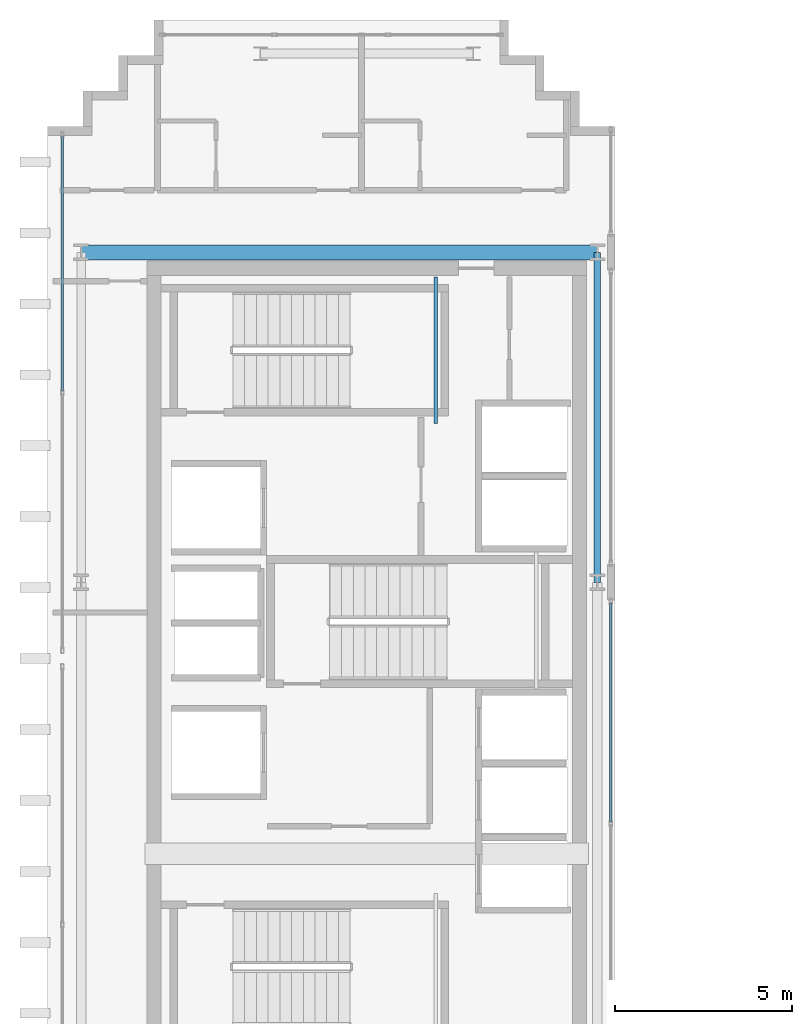
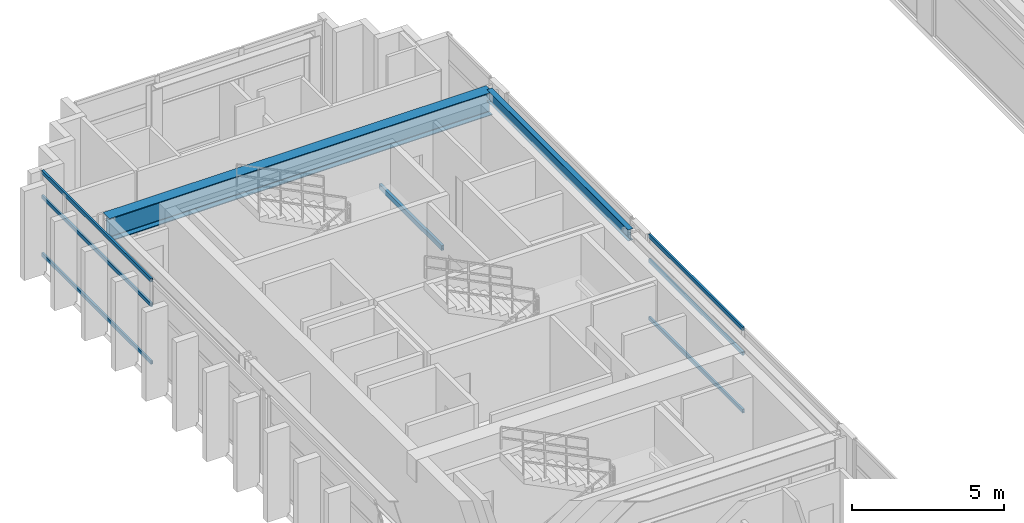
# One storey, part 6 of 25: 6 members, 3 beams, 2 elements without a shape of their own.
"""IFC4 building model written with IfcOpenShell, lengths in metres."""

from ifc_helpers import new_model, si_unit, direction, frame, origin, origin_2d, place, context, subcontext, project, spatial, hollow_rectangle, i_section, extrude, source, transform, mapped, material, layer, layer_set, material_profile, profile_set, type_object, element, aggregate, save


model = new_model("IFC4")

# Units and contexts
model_context = context("Model", 3, precision=1e-05, world=origin(), true_north=direction((0.0, 1.0)))
body_context = subcontext(model_context, "Body", "Model", "MODEL_VIEW")
ifc_project = project(units=[si_unit("LENGTHUNIT", "METRE"), si_unit("AREAUNIT", "SQUARE_METRE"), si_unit("VOLUMEUNIT", "CUBIC_METRE"), si_unit("PLANEANGLEUNIT", "RADIAN"), si_unit("MASSUNIT", "GRAM", prefix="KILO")], contexts=[model_context])

# Site, building, storey
site_placement = place(None, origin())
site = spatial("IfcSite", under=ifc_project, at=site_placement, CompositionType="ELEMENT")
building_placement = place(site_placement, origin())
building = spatial("IfcBuilding", under=site, at=building_placement, Name="Ocotamira Hotel", CompositionType="ELEMENT")
storey_placement = place(building_placement, frame((0.0, 0.0, 254.39990234375)))
storey = spatial("IfcBuildingStorey", under=building, at=storey_placement, Name="L64", CompositionType="ELEMENT", Elevation=254.39990234375)

# Beams
ifc_material_1 = material(Name="Steel ASTM A500 Grade C", Category="steel")
ifc_material_profile_1 = material_profile(ifc_material_1, hollow_rectangle(XDim=0.10009765625, YDim=0.199951171875, WallThickness=0.008056640625, at=origin_2d()), Name="HSS200X100X8")
ifc_profile_set_1 = profile_set([ifc_material_profile_1], Name="Steel ASTM A500 Grade C")
beam_type_1 = type_object("IfcBeamType", Name="BM-STLDG-HSS200", PredefinedType="BEAM", material=ifc_profile_set_1)
shared_shape_1 = source(origin(), body_context, "Body", "SweptSolid", [
    extrude(hollow_rectangle(XDim=0.10009765625, YDim=0.199951171875, WallThickness=0.008056640625, at=origin_2d()), origin(), (0.0, 0.0, 1.0), 4.1201171875),
])
beam_1_placement = place(storey_placement, frame((18.949951171875, 32.6298828125, 1.5), z_axis=(0.0, 1.0, 0.0), x_axis=(-1.0, 0.0, 0.0)))
element("IfcBeam", 1, at=beam_1_placement, inside=storey, type_object=beam_type_1, Name="L64 Stair ST-2 Landing Bearer 1", PredefinedType="BEAM", context=body_context, shape_type="MappedRepresentation", body=[
    mapped(shared_shape_1, transform((0.0, 0.0, 0.0), scale=1.0)),
])
ifc_material_2 = material(Name="Steel ASTM A992 Grade 50", Category="steel")
ifc_material_profile_2 = material_profile(ifc_material_2, i_section(OverallWidth=0.41796875, OverallDepth=0.927001953125, WebThickness=0.019287109375, FlangeThickness=0.031982421875, FilletRadius=0.02392578125, at=origin_2d()), Name="W36X231")
ifc_profile_set_2 = profile_set([ifc_material_profile_2], Name="Steel ASTM A992 Grade 50")
beam_type_2 = type_object("IfcBeamType", Name="BM-GIRD-W36X231", PredefinedType="BEAM", material=ifc_profile_set_2)
shared_shape_2 = source(origin(), body_context, "Body", "SweptSolid", [
    extrude(i_section(OverallWidth=0.41796875, OverallDepth=0.927001953125, WebThickness=0.019287109375, FlangeThickness=0.031982421875, FilletRadius=0.02392578125, at=origin_2d()), origin(), (0.0, 0.0, 1.0), 14.550048828125),
])
beam_2_placement = place(storey_placement, frame((8.949951171875, 37.449951171875, 2.91650390625), z_axis=(1.0, 0.0, 0.0), x_axis=(0.0, 1.0, 0.0)))
element("IfcBeam", 2, at=beam_2_placement, inside=storey, type_object=beam_type_2, Name="L64 Girder Y37.45 X8.95-23.5", PredefinedType="BEAM", context=body_context, shape_type="MappedRepresentation", body=[
    mapped(shared_shape_2, transform((0.0, 0.0, 0.0), scale=1.0)),
])
ifc_material_profile_3 = material_profile(ifc_material_2, i_section(OverallWidth=0.18994140625, OverallDepth=0.45703125, WebThickness=0.009033203125, FlangeThickness=0.014404296875, FilletRadius=0.010009765625, at=origin_2d()), Name="W18X50")
ifc_profile_set_3 = profile_set([ifc_material_profile_3], Name="Steel ASTM A992 Grade 50")
beam_type_3 = type_object("IfcBeamType", Name="BM-SEC-W18X50", PredefinedType="JOIST", material=ifc_profile_set_3)
shared_shape_3 = source(origin(), body_context, "Body", "SweptSolid", [
    extrude(i_section(OverallWidth=0.18994140625, OverallDepth=0.45703125, WebThickness=0.009033203125, FlangeThickness=0.014404296875, FilletRadius=0.010009765625, at=origin_2d()), origin(), (0.0, 0.0, 1.0), 9.300048828125),
])
beam_3_placement = place(storey_placement, frame((23.5, 28.14990234375, 3.151611328125), z_axis=(0.0, 1.0, 0.0), x_axis=(-1.0, 0.0, 0.0)))
element("IfcBeam", 3, at=beam_3_placement, inside=storey, type_object=beam_type_3, Name="L64 Beam X23.5 Y28.15-37.45", PredefinedType="JOIST", context=body_context, shape_type="MappedRepresentation", body=[
    mapped(shared_shape_3, transform((0.0, 0.0, 0.0), scale=1.0)),
])

# Curtain wall, members
ifc_material_3 = material(Name="Anodised pale-metal aluminium and solar glass", Category="aluminium")
ifc_layer = layer(ifc_material_3, 0.2099609375)
ifc_layer_set = layer_set([ifc_layer], Name="Anodised pale-metal aluminium and solar glass")
curtain_wall_type = type_object("IfcCurtainWallType", Name="CW-SYS7-PEAK", PredefinedType="NOTDEFINED", material=ifc_layer_set)
curtain_wall_1_placement = place(storey_placement, origin())
curtain_wall_1 = element("IfcCurtainWall", 4, at=curtain_wall_1_placement, inside=storey, type_object=curtain_wall_type, Name="L64 Curtain Wall CW-7 CW-L64-WO2", PredefinedType="NOTDEFINED")
ifc_material_4 = material(Name="Anodised pale-metal aluminium 6063-T6", Category="aluminium")
ifc_material_profile_4 = material_profile(ifc_material_4, hollow_rectangle(XDim=0.074951171875, YDim=0.14990234375, WallThickness=0.006103515625, at=origin_2d()), Name="HSS150X75X6")
ifc_profile_set_4 = profile_set([ifc_material_profile_4], Name="Anodised pale-metal aluminium 6063-T6")
member_type = type_object("IfcMemberType", Name="CWT-150X75", PredefinedType="USERDEFINED", material=ifc_profile_set_4)
shared_shape_4 = source(origin(), body_context, "Body", "SweptSolid", [
    extrude(hollow_rectangle(XDim=0.074951171875, YDim=0.14990234375, WallThickness=0.006103515625, at=origin_2d()), origin(), (0.0, 0.0, 1.0), 7.179931640625),
])
member_1_placement = place(storey_placement, frame((8.419921875, 33.5400390625, 0.03759765625), z_axis=(0.0, 1.0, 0.0), x_axis=(-1.0, 0.0, 0.0)))
member_1 = element("IfcMember", 5, at=member_1_placement, type_object=member_type, Name="CW-7 transom 2.1", ObjectType="TRANSOM", PredefinedType="USERDEFINED", context=body_context, shape_type="MappedRepresentation", body=[
    mapped(shared_shape_4, transform((0.0, 0.0, 0.0), scale=1.0)),
])
member_2_placement = place(storey_placement, frame((8.419921875, 33.5400390625, 2.35009765625), z_axis=(0.0, 1.0, 0.0), x_axis=(-1.0, 0.0, 0.0)))
member_2 = element("IfcMember", 6, at=member_2_placement, type_object=member_type, Name="CW-7 transom 2.2", ObjectType="TRANSOM", PredefinedType="USERDEFINED", context=body_context, shape_type="MappedRepresentation", body=[
    mapped(shared_shape_4, transform((0.0, 0.0, 0.0), scale=1.0)),
])
member_3_placement = place(storey_placement, frame((8.419921875, 33.5400390625, 3.342529296875), z_axis=(0.0, 1.0, 0.0), x_axis=(-1.0, 0.0, 0.0)))
member_3 = element("IfcMember", 7, at=member_3_placement, type_object=member_type, Name="CW-7 transom 2.3", ObjectType="TRANSOM", PredefinedType="USERDEFINED", context=body_context, shape_type="MappedRepresentation", body=[
    mapped(shared_shape_4, transform((0.0, 0.0, 0.0), scale=1.0)),
])
aggregate(curtain_wall_1, [member_1, member_2, member_3])

curtain_wall_2_placement = place(storey_placement, origin())
curtain_wall_2 = element("IfcCurtainWall", 8, at=curtain_wall_2_placement, inside=storey, type_object=curtain_wall_type, Name="L64 Curtain Wall CW-7 CW-L64-WI2", PredefinedType="NOTDEFINED")
shared_shape_5 = source(origin(), body_context, "Body", "SweptSolid", [
    extrude(hollow_rectangle(XDim=0.074951171875, YDim=0.14990234375, WallThickness=0.006103515625, at=origin_2d()), origin(), (0.0, 0.0, 1.0), 6.18017578125),
])
member_4_placement = place(storey_placement, frame((23.8798828125, 21.389892578125, 0.03759765625), z_axis=(0.0, 1.0, 0.0), x_axis=(-1.0, 0.0, 0.0)))
member_4 = element("IfcMember", 9, at=member_4_placement, type_object=member_type, Name="CW-7 transom 2.1", ObjectType="TRANSOM", PredefinedType="USERDEFINED", context=body_context, shape_type="MappedRepresentation", body=[
    mapped(shared_shape_5, transform((0.0, 0.0, 0.0), scale=1.0)),
])
member_5_placement = place(storey_placement, frame((23.8798828125, 21.389892578125, 2.35009765625), z_axis=(0.0, 1.0, 0.0), x_axis=(-1.0, 0.0, 0.0)))
member_5 = element("IfcMember", 10, at=member_5_placement, type_object=member_type, Name="CW-7 transom 2.2", ObjectType="TRANSOM", PredefinedType="USERDEFINED", context=body_context, shape_type="MappedRepresentation", body=[
    mapped(shared_shape_5, transform((0.0, 0.0, 0.0), scale=1.0)),
])
member_6_placement = place(storey_placement, frame((23.8798828125, 21.389892578125, 3.342529296875), z_axis=(0.0, 1.0, 0.0), x_axis=(-1.0, 0.0, 0.0)))
member_6 = element("IfcMember", 11, at=member_6_placement, type_object=member_type, Name="CW-7 transom 2.3", ObjectType="TRANSOM", PredefinedType="USERDEFINED", context=body_context, shape_type="MappedRepresentation", body=[
    mapped(shared_shape_5, transform((0.0, 0.0, 0.0), scale=1.0)),
])
aggregate(curtain_wall_2, [member_4, member_5, member_6])

save(model, "model.ifc")
